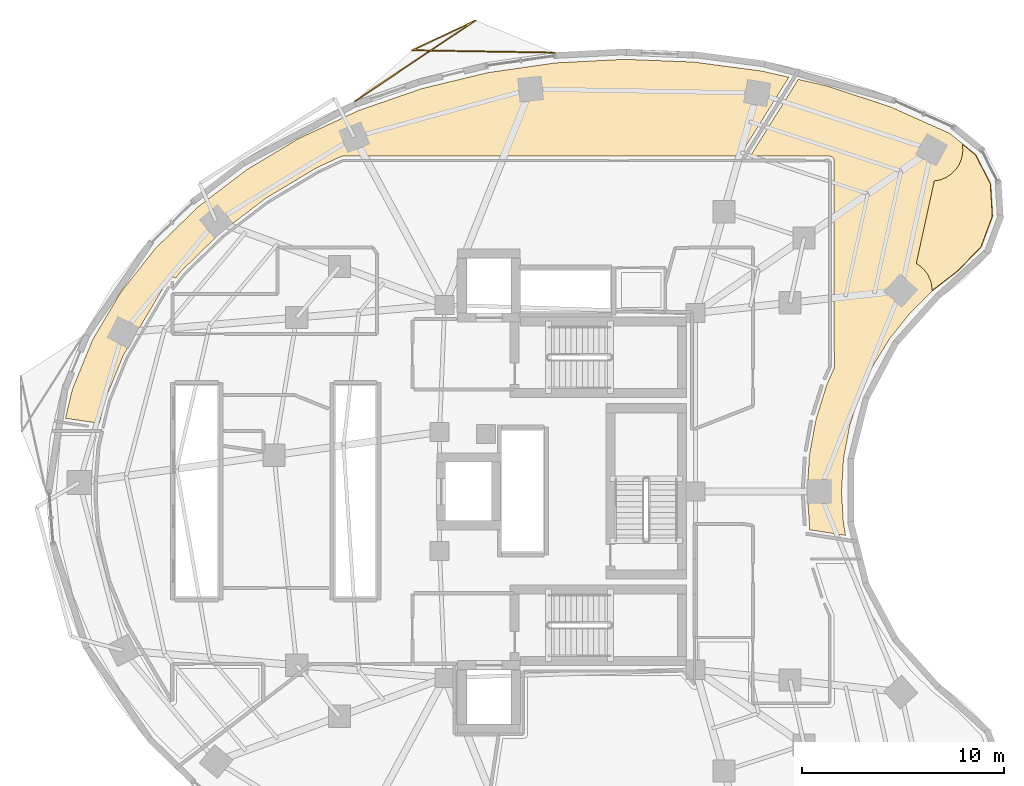
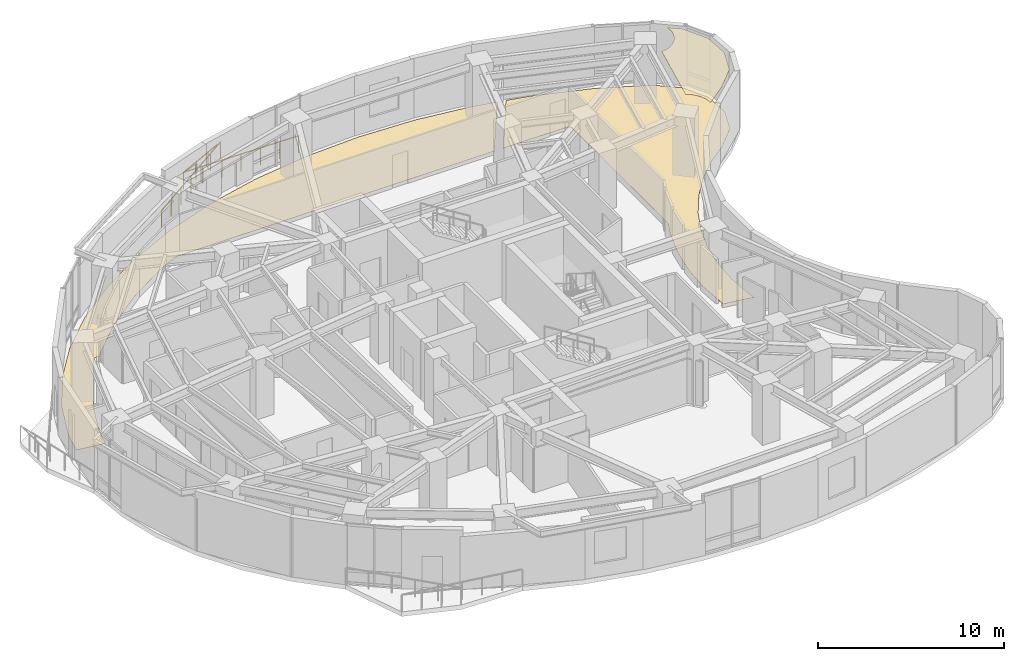
# One storey, part 14 of 14: 3 coverings, 1 railing.
"""IFC4 building model written with IfcOpenShell, lengths in metres."""

from ifc_helpers import new_model, si_unit, direction, frame, origin, origin_2d, place, context, subcontext, project, spatial, polyline, rectangle, outline, extrude, material, layer, layer_set, type_object, element, save


model = new_model("IFC4")

# Units and contexts
model_context = context("Model", 3, precision=1e-05, world=origin(), true_north=direction((0.0, 1.0)))
body_context = subcontext(model_context, "Body", "Model", "MODEL_VIEW")
ifc_project = project(units=[si_unit("LENGTHUNIT", "METRE"), si_unit("AREAUNIT", "SQUARE_METRE"), si_unit("VOLUMEUNIT", "CUBIC_METRE"), si_unit("PLANEANGLEUNIT", "RADIAN"), si_unit("MASSUNIT", "GRAM", prefix="KILO")], contexts=[model_context])

# Site, building, storey
site_placement = place(None, origin())
site = spatial("IfcSite", under=ifc_project, at=site_placement, CompositionType="ELEMENT")
building_placement = place(site_placement, origin())
building = spatial("IfcBuilding", under=site, at=building_placement, Name="Korentha Bioscience Tower", CompositionType="ELEMENT")
storey_placement = place(building_placement, frame((0.0, 0.0, 119.39990234375)))
storey = spatial("IfcBuildingStorey", under=building, at=storey_placement, Name="L27", CompositionType="ELEMENT", Elevation=119.39990234375)

# Railing
ifc_material_1 = material(Name="Laminated Tempered Safety Glass", Category="glass")
railing_type = type_object("IfcRailingType", Name="Laminated Glass Balcony Guardrail 1150", PredefinedType="BALUSTRADE", material=ifc_material_1)
railing_placement = place(storey_placement, frame((30.558349609375, 48.7685546875, 0.0)))
element("IfcRailing", 1, at=railing_placement, inside=storey, type_object=railing_type, Name="L27 Balcony Guardrail 01", PredefinedType="BALUSTRADE", context=body_context, shape_type="SweptSolid", body=[
    extrude(rectangle(XDim=0.048095703125, YDim=0.048095703125, at=origin_2d()), frame((0.0, 0.0, 1.1259765625), z_axis=(-0.999865487558, 0.01640142648, 0.0), x_axis=(-0.01640142648, -0.999865487558, 0.0)), (0.0, 0.0, 1.0), 7.070556640625),
    extrude(rectangle(XDim=0.048095703125, YDim=0.048095703125, at=origin_2d()), frame((-7.069580078125, 0.115966796875, 1.1259765625), z_axis=(0.904931572143, 0.425557105144, 0.0), x_axis=(-0.425557105144, 0.904931572143, 0.0)), (0.0, 0.0, 1.0), 3.4794921875),
    extrude(rectangle(XDim=0.048095703125, YDim=0.048095703125, at=origin_2d()), frame((-3.9208984375, 1.5966796875, 1.1259765625), z_axis=(-0.831683894914, -0.555249402468, 0.0), x_axis=(0.555249402468, -0.831683894914, 0.0)), (0.0, 0.0, 1.0), 7.179443359375),
    extrude(rectangle(XDim=0.0419921875, YDim=0.0419921875, at=origin_2d()), origin(), (0.0, 0.0, 1.0), 1.101806640625),
    extrude(rectangle(XDim=0.0419921875, YDim=0.0419921875, at=origin_2d()), frame((-1.17822265625, 0.019287109375, 0.0)), (0.0, 0.0, 1.0), 1.101806640625),
    extrude(rectangle(XDim=0.0419921875, YDim=0.0419921875, at=origin_2d()), frame((-2.3564453125, 0.03857421875, 0.0)), (0.0, 0.0, 1.0), 1.101806640625),
    extrude(rectangle(XDim=0.0419921875, YDim=0.0419921875, at=origin_2d()), frame((-3.53466796875, 0.05810546875, 0.0)), (0.0, 0.0, 1.0), 1.101806640625),
    extrude(rectangle(XDim=0.0419921875, YDim=0.0419921875, at=origin_2d()), frame((-4.713134765625, 0.077392578125, 0.0)), (0.0, 0.0, 1.0), 1.101806640625),
    extrude(rectangle(XDim=0.0419921875, YDim=0.0419921875, at=origin_2d()), frame((-5.891357421875, 0.0966796875, 0.0)), (0.0, 0.0, 1.0), 1.101806640625),
    extrude(rectangle(XDim=0.0419921875, YDim=0.0419921875, at=origin_2d()), frame((-7.069580078125, 0.115966796875, 0.0)), (0.0, 0.0, 1.0), 1.101806640625),
    extrude(rectangle(XDim=0.0419921875, YDim=0.0419921875, at=origin_2d()), frame((-6.02001953125, 0.609619140625, 0.0)), (0.0, 0.0, 1.0), 1.101806640625),
    extrude(rectangle(XDim=0.0419921875, YDim=0.0419921875, at=origin_2d()), frame((-4.970458984375, 1.10302734375, 0.0)), (0.0, 0.0, 1.0), 1.101806640625),
    extrude(rectangle(XDim=0.0419921875, YDim=0.0419921875, at=origin_2d()), frame((-3.9208984375, 1.5966796875, 0.0)), (0.0, 0.0, 1.0), 1.101806640625),
    extrude(rectangle(XDim=0.0419921875, YDim=0.0419921875, at=origin_2d()), frame((-4.916015625, 0.932373046875, 0.0)), (0.0, 0.0, 1.0), 1.101806640625),
    extrude(rectangle(XDim=0.0419921875, YDim=0.0419921875, at=origin_2d()), frame((-5.9111328125, 0.267822265625, 0.0)), (0.0, 0.0, 1.0), 1.101806640625),
    extrude(rectangle(XDim=0.0419921875, YDim=0.0419921875, at=origin_2d()), frame((-6.90625, -0.396484375, 0.0)), (0.0, 0.0, 1.0), 1.101806640625),
    extrude(rectangle(XDim=0.0419921875, YDim=0.0419921875, at=origin_2d()), frame((-7.901611328125, -1.060791015625, 0.0)), (0.0, 0.0, 1.0), 1.101806640625),
    extrude(rectangle(XDim=0.0419921875, YDim=0.0419921875, at=origin_2d()), frame((-8.896728515625, -1.725341796875, 0.0)), (0.0, 0.0, 1.0), 1.101806640625),
    extrude(rectangle(XDim=0.0419921875, YDim=0.0419921875, at=origin_2d()), frame((-9.891845703125, -2.3896484375, 0.0)), (0.0, 0.0, 1.0), 1.101806640625),
])

# Coverings
ifc_material_2 = material(Name="Antimicrobial Mineral Fibre Board", Category="gypsum")
ifc_layer_1 = layer(ifc_material_2, 0.034912109375, Name="Antimicrobial Mineral Fibre Board")
ifc_layer_set_1 = layer_set([ifc_layer_1], Name="Antimicrobial Mineral Fibre Board (CL-MF35)")
covering_type_1 = type_object("IfcCoveringType", Name="Mineral-Fibre Cleanroom Suspended Ceiling 35", PredefinedType="CEILING", material=ifc_layer_set_1)
covering_1_placement = place(storey_placement, frame((0.0, 0.0, 3.864990234375)))
element("IfcCovering", 2, at=covering_1_placement, inside=storey, type_object=covering_type_1, Name="L27 Incubator and Bioreactor Suite 06 Acoustic Ceiling", PredefinedType="CEILING", context=body_context, shape_type="SweptSolid", body=[
    extrude(outline(polyline([(51.43408203125, 43.691650390625), (52.1708984375, 42.260009765625), (52.267822265625, 40.65283203125), (51.708740234375, 39.14306640625), (50.53662109375, 37.93359375), (49.28564453125, 36.968505859375), (49.25634765625, 37.26220703125), (49.219482421875, 37.40966796875), (49.10302734375, 37.6904296875), (49.02490234375, 37.82080078125), (48.83203125, 38.055908203125), (48.719482421875, 38.157958984375), (48.49951171875, 38.30712890625), (49.39208984375, 42.403564453125), (49.708740234375, 42.463623046875), (49.989501953125, 42.579833984375), (50.2421875, 42.748779296875), (50.45703125, 42.963623046875), (50.625732421875, 43.21630859375), (50.7421875, 43.4970703125), (50.80126953125, 43.794921875), (50.808837890625, 43.947021484375), (50.78369140625, 44.218017578125), (51.43408203125, 43.691650390625)])), origin(), (0.0, 0.0, 1.0), 0.03515625),
])
ifc_material_3 = material(Name="Chemical-Resistant Epoxy Resin", Category="polymer")
ifc_layer_2 = layer(ifc_material_3, 0.011962890625, Name="Chemical-Resistant Epoxy Resin")
ifc_layer_set_2 = layer_set([ifc_layer_2], Name="Chemical-Resistant Epoxy Resin (FL-EPX)")
covering_type_2 = type_object("IfcCoveringType", Name="Seamless Epoxy Laboratory Flooring 12", PredefinedType="FLOORING", material=ifc_layer_set_2)
covering_2_placement = place(storey_placement, origin())
element("IfcCovering", 3, at=covering_2_placement, inside=storey, type_object=covering_type_2, Name="L27 Incubator and Bioreactor Suite 06 Floor Finish", PredefinedType="FLOORING", context=body_context, shape_type="SweptSolid", body=[
    extrude(outline(polyline([(44.1171875, 47.103515625), (47.25439453125, 46.060546875), (50.164794921875, 44.757568359375), (51.4580078125, 43.7109375), (52.200439453125, 42.26806640625), (52.29833984375, 40.6484375), (51.734619140625, 39.126708984375), (50.556396484375, 37.911376953125), (49.31884765625, 36.958251953125), (48.193359375, 35.852294921875), (47.16748046875, 34.562744140625), (46.3203125, 33.173828125), (45.67236328125, 31.75048828125), (45.18896484375, 30.22607421875), (44.89013671875, 28.63427734375), (44.78857421875, 26.9755859375), (44.88427734375, 25.414306640625), (44.991943359375, 24.815673828125), (43.212890625, 25.09423828125), (43.08837890625, 26.98583984375), (43.197998046875, 28.802978515625), (43.528076171875, 30.59326171875), (44.07373046875, 32.330078125), (44.4091796875, 33.07958984375), (44.4296875, 33.162109375), (44.423095703125, 43.456298828125), (44.385009765625, 43.53662109375), (44.33740234375, 43.58447265625), (44.210693359375, 43.629638671875), (40.260986328125, 43.6298828125), (42.64208984375, 47.440673828125), (44.1171875, 47.103515625)])), origin(), (0.0, 0.0, 1.0), 0.01220703125),
])
covering_3_placement = place(storey_placement, origin())
element("IfcCovering", 4, at=covering_3_placement, inside=storey, type_object=covering_type_2, Name="L27 Biostatistics Research Office 08 Floor Finish", PredefinedType="FLOORING", context=body_context, shape_type="SweptSolid", body=[
    extrude(outline(polyline([(6.63330078125, 32.070068359375), (7.63427734375, 34.5185546875), (9.01806640625, 36.86376953125), (10.766845703125, 39.0712890625), (12.85693359375, 41.108642578125), (15.259033203125, 42.944580078125), (17.890869140625, 44.52294921875), (20.857421875, 45.905517578125), (23.972900390625, 46.98486328125), (27.23876953125, 47.77392578125), (30.60791015625, 48.260498046875), (34.0302734375, 48.436767578125), (37.456298828125, 48.300537109375), (40.8349609375, 47.85400390625), (42.177978515625, 47.546875), (39.733642578125, 43.63525390625), (20.04248046875, 43.6298828125), (19.94580078125, 43.608642578125), (18.735595703125, 43.047119140625), (16.21533203125, 41.535400390625), (13.97021484375, 39.8193359375), (12.042236328125, 37.940673828125), (11.744873046875, 37.568115234375), (11.662109375, 37.622802734375), (11.5751953125, 37.637939453125), (11.48876953125, 37.619140625), (11.415283203125, 37.568603515625), (9.161376953125, 33.760498046875), (8.259521484375, 31.554443359375), (7.9755859375, 30.380126953125), (6.286376953125, 30.626708984375), (6.63330078125, 32.070068359375)])), origin(), (0.0, 0.0, 1.0), 0.01220703125),
])

save(model, "model.ifc")
